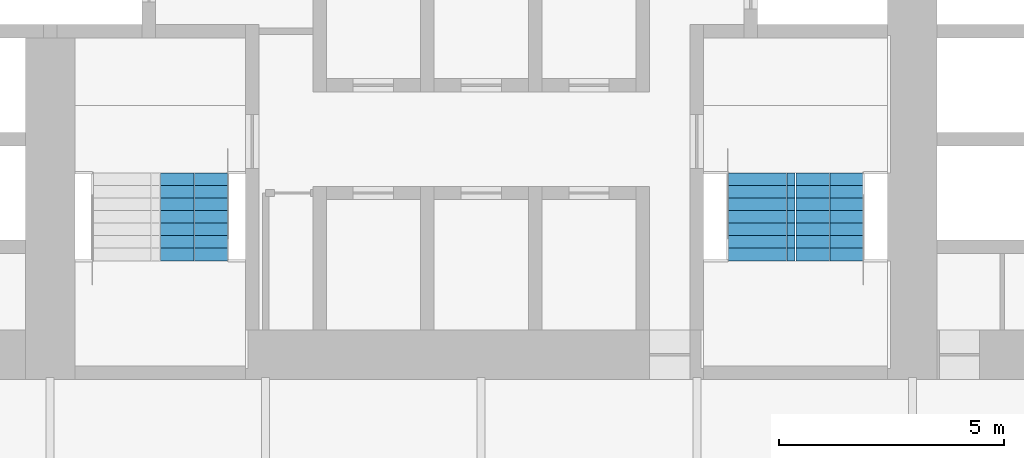
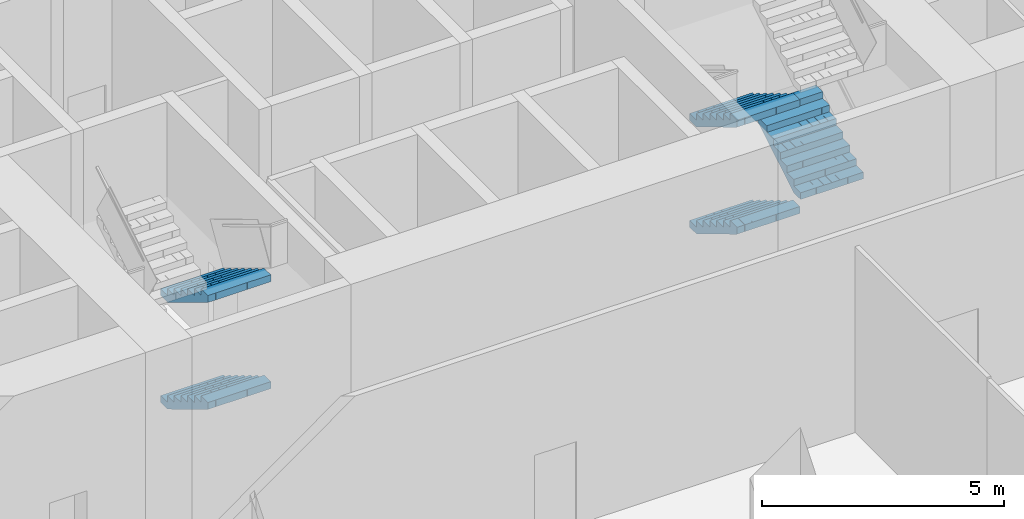
# One storey, part 25 of 34: 5 stair flights, 2 elements without a shape of their own.
"""IFC4 building model written with IfcOpenShell, lengths in metres."""

from ifc_helpers import new_model, si_unit, direction, frame, origin, place, context, subcontext, project, spatial, polyline, outline, extrude, material, type_object, element, aggregate, save


model = new_model("IFC4")

# Units and contexts
model_context = context("Model", 3, precision=1e-05, world=origin(), true_north=direction((0.0, 1.0)))
body_context = subcontext(model_context, "Body", "Model", "MODEL_VIEW")
ifc_project = project(units=[si_unit("LENGTHUNIT", "METRE"), si_unit("AREAUNIT", "SQUARE_METRE"), si_unit("VOLUMEUNIT", "CUBIC_METRE"), si_unit("PLANEANGLEUNIT", "RADIAN"), si_unit("MASSUNIT", "GRAM", prefix="KILO")], contexts=[model_context])

# Site, building, storey
site_placement = place(None, origin())
site = spatial("IfcSite", under=ifc_project, at=site_placement, CompositionType="ELEMENT")
building_placement = place(site_placement, origin())
building = spatial("IfcBuilding", under=site, at=building_placement, Name="Kolab Exchange Tower", CompositionType="ELEMENT")
storey_placement = place(building_placement, frame((0.0, 0.0, 7.0)))
storey = spatial("IfcBuildingStorey", under=building, at=storey_placement, Name="L01", CompositionType="ELEMENT", Elevation=7.0)

# Stair, stair flights
ifc_material = material(Name="Concrete C50/60", Category="concrete")
stair_type_1 = type_object("IfcStairType", Name="STAIR ST3 RISER 168.8", PredefinedType="DOUBLE_RETURN_STAIR", material=ifc_material)
stair_1_placement = place(storey_placement, origin())
stair_1 = element("IfcStair", 1, at=stair_1_placement, inside=storey, type_object=stair_type_1, Name="Stair 3", PredefinedType="DOUBLE_RETURN_STAIR")
stair_flight_type = type_object("IfcStairFlightType", Name="STAIR FLIGHT 1500 RISER 168.8", PredefinedType="STRAIGHT", material=ifc_material)
stair_flight_1_placement = place(storey_placement, frame((-6.389892578125, -5.550048828125, 0.0), z_axis=(0.0, 0.0, 1.0), x_axis=(0.0, -1.0, 0.0)))
stair_flight_1 = element("IfcStairFlight", 2, at=stair_flight_1_placement, type_object=stair_flight_type, Name="ST3 flight 1", NumberOfRisers=8, NumberOfTreads=7, PredefinedType="STRAIGHT", RiserHeight=0.16875, TreadLength=0.28, context=body_context, shape_type="SweptSolid", body=[
    extrude(outline(polyline([(0.0, 0.0), (0.0, 0.168701171875), (0.280029296875, 0.168701171875), (0.280029296875, 0.33740234375), (0.56005859375, 0.33740234375), (0.56005859375, 0.50634765625), (0.840087890625, 0.50634765625), (0.840087890625, 0.675048828125), (1.1201171875, 0.675048828125), (1.1201171875, 0.84375), (1.39990234375, 0.84375), (1.39990234375, 1.012451171875), (1.679931640625, 1.012451171875), (1.679931640625, 1.18115234375), (1.9599609375, 1.18115234375), (1.9599609375, 1.35009765625), (1.9599609375, 1.00634765625), (0.29052734375, 0.0), (0.0, 0.0)])), frame((0.0, 0.75, 0.0), z_axis=(0.0, -1.0, 0.0), x_axis=(1.0, 0.0, 0.0)), (0.0, 0.0, 1.0), 0.185791015625),
    extrude(outline(polyline([(0.0, 0.0), (0.0, 0.168701171875), (0.280029296875, 0.168701171875), (0.280029296875, 0.33740234375), (0.56005859375, 0.33740234375), (0.56005859375, 0.50634765625), (0.840087890625, 0.50634765625), (0.840087890625, 0.675048828125), (1.1201171875, 0.675048828125), (1.1201171875, 0.84375), (1.39990234375, 0.84375), (1.39990234375, 1.012451171875), (1.679931640625, 1.012451171875), (1.679931640625, 1.18115234375), (1.9599609375, 1.18115234375), (1.9599609375, 1.35009765625), (1.9599609375, 1.00634765625), (0.29052734375, 0.0), (0.0, 0.0)])), frame((0.0, 0.562255859375, 0.0), z_axis=(0.0, -1.0, 0.0), x_axis=(1.0, 0.0, 0.0)), (0.0, 0.0, 1.0), 0.185791015625),
    extrude(outline(polyline([(0.0, 0.0), (0.0, 0.168701171875), (0.280029296875, 0.168701171875), (0.280029296875, 0.33740234375), (0.56005859375, 0.33740234375), (0.56005859375, 0.50634765625), (0.840087890625, 0.50634765625), (0.840087890625, 0.675048828125), (1.1201171875, 0.675048828125), (1.1201171875, 0.84375), (1.39990234375, 0.84375), (1.39990234375, 1.012451171875), (1.679931640625, 1.012451171875), (1.679931640625, 1.18115234375), (1.9599609375, 1.18115234375), (1.9599609375, 1.35009765625), (1.9599609375, 1.00634765625), (0.29052734375, 0.0), (0.0, 0.0)])), frame((0.0, 0.37451171875, 0.0), z_axis=(0.0, -1.0, 0.0), x_axis=(1.0, 0.0, 0.0)), (0.0, 0.0, 1.0), 0.185791015625),
    extrude(outline(polyline([(0.0, 0.0), (0.0, 0.168701171875), (0.280029296875, 0.168701171875), (0.280029296875, 0.33740234375), (0.56005859375, 0.33740234375), (0.56005859375, 0.50634765625), (0.840087890625, 0.50634765625), (0.840087890625, 0.675048828125), (1.1201171875, 0.675048828125), (1.1201171875, 0.84375), (1.39990234375, 0.84375), (1.39990234375, 1.012451171875), (1.679931640625, 1.012451171875), (1.679931640625, 1.18115234375), (1.9599609375, 1.18115234375), (1.9599609375, 1.35009765625), (1.9599609375, 1.00634765625), (0.29052734375, 0.0), (0.0, 0.0)])), frame((0.0, 0.186767578125, 0.0), z_axis=(0.0, -1.0, 0.0), x_axis=(1.0, 0.0, 0.0)), (0.0, 0.0, 1.0), 0.185791015625),
    extrude(outline(polyline([(0.0, 0.0), (0.0, 0.168701171875), (0.280029296875, 0.168701171875), (0.280029296875, 0.33740234375), (0.56005859375, 0.33740234375), (0.56005859375, 0.50634765625), (0.840087890625, 0.50634765625), (0.840087890625, 0.675048828125), (1.1201171875, 0.675048828125), (1.1201171875, 0.84375), (1.39990234375, 0.84375), (1.39990234375, 1.012451171875), (1.679931640625, 1.012451171875), (1.679931640625, 1.18115234375), (1.9599609375, 1.18115234375), (1.9599609375, 1.35009765625), (1.9599609375, 1.00634765625), (0.29052734375, 0.0), (0.0, 0.0)])), frame((0.0, -0.0009765625, 0.0), z_axis=(0.0, -1.0, 0.0), x_axis=(1.0, 0.0, 0.0)), (0.0, 0.0, 1.0), 0.185791015625),
    extrude(outline(polyline([(0.0, 0.0), (0.0, 0.168701171875), (0.280029296875, 0.168701171875), (0.280029296875, 0.33740234375), (0.56005859375, 0.33740234375), (0.56005859375, 0.50634765625), (0.840087890625, 0.50634765625), (0.840087890625, 0.675048828125), (1.1201171875, 0.675048828125), (1.1201171875, 0.84375), (1.39990234375, 0.84375), (1.39990234375, 1.012451171875), (1.679931640625, 1.012451171875), (1.679931640625, 1.18115234375), (1.9599609375, 1.18115234375), (1.9599609375, 1.35009765625), (1.9599609375, 1.00634765625), (0.29052734375, 0.0), (0.0, 0.0)])), frame((0.0, -0.188720703125, 0.0), z_axis=(0.0, -1.0, 0.0), x_axis=(1.0, 0.0, 0.0)), (0.0, 0.0, 1.0), 0.185791015625),
    extrude(outline(polyline([(0.0, 0.0), (0.0, 0.168701171875), (0.280029296875, 0.168701171875), (0.280029296875, 0.33740234375), (0.56005859375, 0.33740234375), (0.56005859375, 0.50634765625), (0.840087890625, 0.50634765625), (0.840087890625, 0.675048828125), (1.1201171875, 0.675048828125), (1.1201171875, 0.84375), (1.39990234375, 0.84375), (1.39990234375, 1.012451171875), (1.679931640625, 1.012451171875), (1.679931640625, 1.18115234375), (1.9599609375, 1.18115234375), (1.9599609375, 1.35009765625), (1.9599609375, 1.00634765625), (0.29052734375, 0.0), (0.0, 0.0)])), frame((0.0, -0.37646484375, 0.0), z_axis=(0.0, -1.0, 0.0), x_axis=(1.0, 0.0, 0.0)), (0.0, 0.0, 1.0), 0.185791015625),
    extrude(outline(polyline([(0.0, 0.0), (0.0, 0.168701171875), (0.280029296875, 0.168701171875), (0.280029296875, 0.33740234375), (0.56005859375, 0.33740234375), (0.56005859375, 0.50634765625), (0.840087890625, 0.50634765625), (0.840087890625, 0.675048828125), (1.1201171875, 0.675048828125), (1.1201171875, 0.84375), (1.39990234375, 0.84375), (1.39990234375, 1.012451171875), (1.679931640625, 1.012451171875), (1.679931640625, 1.18115234375), (1.9599609375, 1.18115234375), (1.9599609375, 1.35009765625), (1.9599609375, 1.00634765625), (0.29052734375, 0.0), (0.0, 0.0)])), frame((0.0, -0.564208984375, 0.0), z_axis=(0.0, -1.0, 0.0), x_axis=(1.0, 0.0, 0.0)), (0.0, 0.0, 1.0), 0.185791015625),
])
stair_flight_2_placement = place(storey_placement, frame((-6.389892578125, -5.550048828125, 2.699951171875), z_axis=(0.0, 0.0, 1.0), x_axis=(0.0, -1.0, 0.0)))
stair_flight_2 = element("IfcStairFlight", 3, at=stair_flight_2_placement, type_object=stair_flight_type, Name="ST3 flight 3", NumberOfRisers=8, NumberOfTreads=7, PredefinedType="STRAIGHT", RiserHeight=0.16875, TreadLength=0.28, context=body_context, shape_type="SweptSolid", body=[
    extrude(outline(polyline([(0.0, 0.0), (0.0, 0.168701171875), (0.280029296875, 0.168701171875), (0.280029296875, 0.33740234375), (0.56005859375, 0.33740234375), (0.56005859375, 0.50634765625), (0.840087890625, 0.50634765625), (0.840087890625, 0.675048828125), (1.1201171875, 0.675048828125), (1.1201171875, 0.84375), (1.39990234375, 0.84375), (1.39990234375, 1.012451171875), (1.679931640625, 1.012451171875), (1.679931640625, 1.18115234375), (1.9599609375, 1.18115234375), (1.9599609375, 1.35009765625), (1.9599609375, 1.00634765625), (0.29052734375, 0.0), (0.0, 0.0)])), frame((0.0, 0.75, 0.0), z_axis=(0.0, -1.0, 0.0), x_axis=(1.0, 0.0, 0.0)), (0.0, 0.0, 1.0), 0.185791015625),
    extrude(outline(polyline([(0.0, 0.0), (0.0, 0.168701171875), (0.280029296875, 0.168701171875), (0.280029296875, 0.33740234375), (0.56005859375, 0.33740234375), (0.56005859375, 0.50634765625), (0.840087890625, 0.50634765625), (0.840087890625, 0.675048828125), (1.1201171875, 0.675048828125), (1.1201171875, 0.84375), (1.39990234375, 0.84375), (1.39990234375, 1.012451171875), (1.679931640625, 1.012451171875), (1.679931640625, 1.18115234375), (1.9599609375, 1.18115234375), (1.9599609375, 1.35009765625), (1.9599609375, 1.00634765625), (0.29052734375, 0.0), (0.0, 0.0)])), frame((0.0, 0.562255859375, 0.0), z_axis=(0.0, -1.0, 0.0), x_axis=(1.0, 0.0, 0.0)), (0.0, 0.0, 1.0), 0.185791015625),
    extrude(outline(polyline([(0.0, 0.0), (0.0, 0.168701171875), (0.280029296875, 0.168701171875), (0.280029296875, 0.33740234375), (0.56005859375, 0.33740234375), (0.56005859375, 0.50634765625), (0.840087890625, 0.50634765625), (0.840087890625, 0.675048828125), (1.1201171875, 0.675048828125), (1.1201171875, 0.84375), (1.39990234375, 0.84375), (1.39990234375, 1.012451171875), (1.679931640625, 1.012451171875), (1.679931640625, 1.18115234375), (1.9599609375, 1.18115234375), (1.9599609375, 1.35009765625), (1.9599609375, 1.00634765625), (0.29052734375, 0.0), (0.0, 0.0)])), frame((0.0, 0.37451171875, 0.0), z_axis=(0.0, -1.0, 0.0), x_axis=(1.0, 0.0, 0.0)), (0.0, 0.0, 1.0), 0.185791015625),
    extrude(outline(polyline([(0.0, 0.0), (0.0, 0.168701171875), (0.280029296875, 0.168701171875), (0.280029296875, 0.33740234375), (0.56005859375, 0.33740234375), (0.56005859375, 0.50634765625), (0.840087890625, 0.50634765625), (0.840087890625, 0.675048828125), (1.1201171875, 0.675048828125), (1.1201171875, 0.84375), (1.39990234375, 0.84375), (1.39990234375, 1.012451171875), (1.679931640625, 1.012451171875), (1.679931640625, 1.18115234375), (1.9599609375, 1.18115234375), (1.9599609375, 1.35009765625), (1.9599609375, 1.00634765625), (0.29052734375, 0.0), (0.0, 0.0)])), frame((0.0, 0.186767578125, 0.0), z_axis=(0.0, -1.0, 0.0), x_axis=(1.0, 0.0, 0.0)), (0.0, 0.0, 1.0), 0.185791015625),
    extrude(outline(polyline([(0.0, 0.0), (0.0, 0.168701171875), (0.280029296875, 0.168701171875), (0.280029296875, 0.33740234375), (0.56005859375, 0.33740234375), (0.56005859375, 0.50634765625), (0.840087890625, 0.50634765625), (0.840087890625, 0.675048828125), (1.1201171875, 0.675048828125), (1.1201171875, 0.84375), (1.39990234375, 0.84375), (1.39990234375, 1.012451171875), (1.679931640625, 1.012451171875), (1.679931640625, 1.18115234375), (1.9599609375, 1.18115234375), (1.9599609375, 1.35009765625), (1.9599609375, 1.00634765625), (0.29052734375, 0.0), (0.0, 0.0)])), frame((0.0, -0.0009765625, 0.0), z_axis=(0.0, -1.0, 0.0), x_axis=(1.0, 0.0, 0.0)), (0.0, 0.0, 1.0), 0.185791015625),
    extrude(outline(polyline([(0.0, 0.0), (0.0, 0.168701171875), (0.280029296875, 0.168701171875), (0.280029296875, 0.33740234375), (0.56005859375, 0.33740234375), (0.56005859375, 0.50634765625), (0.840087890625, 0.50634765625), (0.840087890625, 0.675048828125), (1.1201171875, 0.675048828125), (1.1201171875, 0.84375), (1.39990234375, 0.84375), (1.39990234375, 1.012451171875), (1.679931640625, 1.012451171875), (1.679931640625, 1.18115234375), (1.9599609375, 1.18115234375), (1.9599609375, 1.35009765625), (1.9599609375, 1.00634765625), (0.29052734375, 0.0), (0.0, 0.0)])), frame((0.0, -0.188720703125, 0.0), z_axis=(0.0, -1.0, 0.0), x_axis=(1.0, 0.0, 0.0)), (0.0, 0.0, 1.0), 0.185791015625),
    extrude(outline(polyline([(0.0, 0.0), (0.0, 0.168701171875), (0.280029296875, 0.168701171875), (0.280029296875, 0.33740234375), (0.56005859375, 0.33740234375), (0.56005859375, 0.50634765625), (0.840087890625, 0.50634765625), (0.840087890625, 0.675048828125), (1.1201171875, 0.675048828125), (1.1201171875, 0.84375), (1.39990234375, 0.84375), (1.39990234375, 1.012451171875), (1.679931640625, 1.012451171875), (1.679931640625, 1.18115234375), (1.9599609375, 1.18115234375), (1.9599609375, 1.35009765625), (1.9599609375, 1.00634765625), (0.29052734375, 0.0), (0.0, 0.0)])), frame((0.0, -0.37646484375, 0.0), z_axis=(0.0, -1.0, 0.0), x_axis=(1.0, 0.0, 0.0)), (0.0, 0.0, 1.0), 0.185791015625),
    extrude(outline(polyline([(0.0, 0.0), (0.0, 0.168701171875), (0.280029296875, 0.168701171875), (0.280029296875, 0.33740234375), (0.56005859375, 0.33740234375), (0.56005859375, 0.50634765625), (0.840087890625, 0.50634765625), (0.840087890625, 0.675048828125), (1.1201171875, 0.675048828125), (1.1201171875, 0.84375), (1.39990234375, 0.84375), (1.39990234375, 1.012451171875), (1.679931640625, 1.012451171875), (1.679931640625, 1.18115234375), (1.9599609375, 1.18115234375), (1.9599609375, 1.35009765625), (1.9599609375, 1.00634765625), (0.29052734375, 0.0), (0.0, 0.0)])), frame((0.0, -0.564208984375, 0.0), z_axis=(0.0, -1.0, 0.0), x_axis=(1.0, 0.0, 0.0)), (0.0, 0.0, 1.0), 0.185791015625),
])
aggregate(stair_1, [stair_flight_1, stair_flight_2])

stair_type_2 = type_object("IfcStairType", Name="STAIR ST2 RISER 168.8", PredefinedType="DOUBLE_RETURN_STAIR", material=ifc_material)
stair_2_placement = place(storey_placement, origin())
stair_2 = element("IfcStair", 4, at=stair_2_placement, inside=storey, type_object=stair_type_2, Name="Stair 2", PredefinedType="DOUBLE_RETURN_STAIR")
stair_flight_3_placement = place(storey_placement, frame((6.239990234375, -5.550048828125, 0.0), z_axis=(0.0, 0.0, 1.0), x_axis=(0.0, -1.0, 0.0)))
stair_flight_3 = element("IfcStairFlight", 5, at=stair_flight_3_placement, type_object=stair_flight_type, Name="ST2 flight 1", NumberOfRisers=8, NumberOfTreads=7, PredefinedType="STRAIGHT", RiserHeight=0.16875, TreadLength=0.28, context=body_context, shape_type="SweptSolid", body=[
    extrude(outline(polyline([(0.0, 0.0), (0.0, 0.168701171875), (0.280029296875, 0.168701171875), (0.280029296875, 0.33740234375), (0.56005859375, 0.33740234375), (0.56005859375, 0.50634765625), (0.840087890625, 0.50634765625), (0.840087890625, 0.675048828125), (1.1201171875, 0.675048828125), (1.1201171875, 0.84375), (1.39990234375, 0.84375), (1.39990234375, 1.012451171875), (1.679931640625, 1.012451171875), (1.679931640625, 1.18115234375), (1.9599609375, 1.18115234375), (1.9599609375, 1.35009765625), (1.9599609375, 1.00634765625), (0.29052734375, 0.0), (0.0, 0.0)])), frame((0.0, 0.75, 0.0), z_axis=(0.0, -1.0, 0.0), x_axis=(1.0, 0.0, 0.0)), (0.0, 0.0, 1.0), 0.185791015625),
    extrude(outline(polyline([(0.0, 0.0), (0.0, 0.168701171875), (0.280029296875, 0.168701171875), (0.280029296875, 0.33740234375), (0.56005859375, 0.33740234375), (0.56005859375, 0.50634765625), (0.840087890625, 0.50634765625), (0.840087890625, 0.675048828125), (1.1201171875, 0.675048828125), (1.1201171875, 0.84375), (1.39990234375, 0.84375), (1.39990234375, 1.012451171875), (1.679931640625, 1.012451171875), (1.679931640625, 1.18115234375), (1.9599609375, 1.18115234375), (1.9599609375, 1.35009765625), (1.9599609375, 1.00634765625), (0.29052734375, 0.0), (0.0, 0.0)])), frame((0.0, 0.562255859375, 0.0), z_axis=(0.0, -1.0, 0.0), x_axis=(1.0, 0.0, 0.0)), (0.0, 0.0, 1.0), 0.185791015625),
    extrude(outline(polyline([(0.0, 0.0), (0.0, 0.168701171875), (0.280029296875, 0.168701171875), (0.280029296875, 0.33740234375), (0.56005859375, 0.33740234375), (0.56005859375, 0.50634765625), (0.840087890625, 0.50634765625), (0.840087890625, 0.675048828125), (1.1201171875, 0.675048828125), (1.1201171875, 0.84375), (1.39990234375, 0.84375), (1.39990234375, 1.012451171875), (1.679931640625, 1.012451171875), (1.679931640625, 1.18115234375), (1.9599609375, 1.18115234375), (1.9599609375, 1.35009765625), (1.9599609375, 1.00634765625), (0.29052734375, 0.0), (0.0, 0.0)])), frame((0.0, 0.37451171875, 0.0), z_axis=(0.0, -1.0, 0.0), x_axis=(1.0, 0.0, 0.0)), (0.0, 0.0, 1.0), 0.185791015625),
    extrude(outline(polyline([(0.0, 0.0), (0.0, 0.168701171875), (0.280029296875, 0.168701171875), (0.280029296875, 0.33740234375), (0.56005859375, 0.33740234375), (0.56005859375, 0.50634765625), (0.840087890625, 0.50634765625), (0.840087890625, 0.675048828125), (1.1201171875, 0.675048828125), (1.1201171875, 0.84375), (1.39990234375, 0.84375), (1.39990234375, 1.012451171875), (1.679931640625, 1.012451171875), (1.679931640625, 1.18115234375), (1.9599609375, 1.18115234375), (1.9599609375, 1.35009765625), (1.9599609375, 1.00634765625), (0.29052734375, 0.0), (0.0, 0.0)])), frame((0.0, 0.186767578125, 0.0), z_axis=(0.0, -1.0, 0.0), x_axis=(1.0, 0.0, 0.0)), (0.0, 0.0, 1.0), 0.185791015625),
    extrude(outline(polyline([(0.0, 0.0), (0.0, 0.168701171875), (0.280029296875, 0.168701171875), (0.280029296875, 0.33740234375), (0.56005859375, 0.33740234375), (0.56005859375, 0.50634765625), (0.840087890625, 0.50634765625), (0.840087890625, 0.675048828125), (1.1201171875, 0.675048828125), (1.1201171875, 0.84375), (1.39990234375, 0.84375), (1.39990234375, 1.012451171875), (1.679931640625, 1.012451171875), (1.679931640625, 1.18115234375), (1.9599609375, 1.18115234375), (1.9599609375, 1.35009765625), (1.9599609375, 1.00634765625), (0.29052734375, 0.0), (0.0, 0.0)])), frame((0.0, -0.0009765625, 0.0), z_axis=(0.0, -1.0, 0.0), x_axis=(1.0, 0.0, 0.0)), (0.0, 0.0, 1.0), 0.185791015625),
    extrude(outline(polyline([(0.0, 0.0), (0.0, 0.168701171875), (0.280029296875, 0.168701171875), (0.280029296875, 0.33740234375), (0.56005859375, 0.33740234375), (0.56005859375, 0.50634765625), (0.840087890625, 0.50634765625), (0.840087890625, 0.675048828125), (1.1201171875, 0.675048828125), (1.1201171875, 0.84375), (1.39990234375, 0.84375), (1.39990234375, 1.012451171875), (1.679931640625, 1.012451171875), (1.679931640625, 1.18115234375), (1.9599609375, 1.18115234375), (1.9599609375, 1.35009765625), (1.9599609375, 1.00634765625), (0.29052734375, 0.0), (0.0, 0.0)])), frame((0.0, -0.188720703125, 0.0), z_axis=(0.0, -1.0, 0.0), x_axis=(1.0, 0.0, 0.0)), (0.0, 0.0, 1.0), 0.185791015625),
    extrude(outline(polyline([(0.0, 0.0), (0.0, 0.168701171875), (0.280029296875, 0.168701171875), (0.280029296875, 0.33740234375), (0.56005859375, 0.33740234375), (0.56005859375, 0.50634765625), (0.840087890625, 0.50634765625), (0.840087890625, 0.675048828125), (1.1201171875, 0.675048828125), (1.1201171875, 0.84375), (1.39990234375, 0.84375), (1.39990234375, 1.012451171875), (1.679931640625, 1.012451171875), (1.679931640625, 1.18115234375), (1.9599609375, 1.18115234375), (1.9599609375, 1.35009765625), (1.9599609375, 1.00634765625), (0.29052734375, 0.0), (0.0, 0.0)])), frame((0.0, -0.37646484375, 0.0), z_axis=(0.0, -1.0, 0.0), x_axis=(1.0, 0.0, 0.0)), (0.0, 0.0, 1.0), 0.185791015625),
    extrude(outline(polyline([(0.0, 0.0), (0.0, 0.168701171875), (0.280029296875, 0.168701171875), (0.280029296875, 0.33740234375), (0.56005859375, 0.33740234375), (0.56005859375, 0.50634765625), (0.840087890625, 0.50634765625), (0.840087890625, 0.675048828125), (1.1201171875, 0.675048828125), (1.1201171875, 0.84375), (1.39990234375, 0.84375), (1.39990234375, 1.012451171875), (1.679931640625, 1.012451171875), (1.679931640625, 1.18115234375), (1.9599609375, 1.18115234375), (1.9599609375, 1.35009765625), (1.9599609375, 1.00634765625), (0.29052734375, 0.0), (0.0, 0.0)])), frame((0.0, -0.564208984375, 0.0), z_axis=(0.0, -1.0, 0.0), x_axis=(1.0, 0.0, 0.0)), (0.0, 0.0, 1.0), 0.185791015625),
])
stair_flight_4_placement = place(storey_placement, frame((7.760009765625, -7.510009765625, 1.35009765625), z_axis=(0.0, 0.0, 1.0), x_axis=(0.0, 1.0, 0.0)))
stair_flight_4 = element("IfcStairFlight", 6, at=stair_flight_4_placement, type_object=stair_flight_type, Name="ST2 flight 2", NumberOfRisers=8, NumberOfTreads=7, PredefinedType="STRAIGHT", RiserHeight=0.16875, TreadLength=0.28, context=body_context, shape_type="SweptSolid", body=[
    extrude(outline(polyline([(0.0, 0.0), (0.0, 0.168701171875), (0.280029296875, 0.168701171875), (0.280029296875, 0.33740234375), (0.56005859375, 0.33740234375), (0.56005859375, 0.50634765625), (0.840087890625, 0.50634765625), (0.840087890625, 0.675048828125), (1.1201171875, 0.675048828125), (1.1201171875, 0.84375), (1.39990234375, 0.84375), (1.39990234375, 1.012451171875), (1.679931640625, 1.012451171875), (1.679931640625, 1.18115234375), (1.9599609375, 1.18115234375), (1.9599609375, 1.35009765625), (1.9599609375, 1.00634765625), (0.29052734375, 0.0), (0.0, 0.0)])), frame((0.0, 0.75, 0.0), z_axis=(0.0, -1.0, 0.0), x_axis=(1.0, 0.0, 0.0)), (0.0, 0.0, 1.0), 0.185791015625),
    extrude(outline(polyline([(0.0, 0.0), (0.0, 0.168701171875), (0.280029296875, 0.168701171875), (0.280029296875, 0.33740234375), (0.56005859375, 0.33740234375), (0.56005859375, 0.50634765625), (0.840087890625, 0.50634765625), (0.840087890625, 0.675048828125), (1.1201171875, 0.675048828125), (1.1201171875, 0.84375), (1.39990234375, 0.84375), (1.39990234375, 1.012451171875), (1.679931640625, 1.012451171875), (1.679931640625, 1.18115234375), (1.9599609375, 1.18115234375), (1.9599609375, 1.35009765625), (1.9599609375, 1.00634765625), (0.29052734375, 0.0), (0.0, 0.0)])), frame((0.0, 0.562255859375, 0.0), z_axis=(0.0, -1.0, 0.0), x_axis=(1.0, 0.0, 0.0)), (0.0, 0.0, 1.0), 0.185791015625),
    extrude(outline(polyline([(0.0, 0.0), (0.0, 0.168701171875), (0.280029296875, 0.168701171875), (0.280029296875, 0.33740234375), (0.56005859375, 0.33740234375), (0.56005859375, 0.50634765625), (0.840087890625, 0.50634765625), (0.840087890625, 0.675048828125), (1.1201171875, 0.675048828125), (1.1201171875, 0.84375), (1.39990234375, 0.84375), (1.39990234375, 1.012451171875), (1.679931640625, 1.012451171875), (1.679931640625, 1.18115234375), (1.9599609375, 1.18115234375), (1.9599609375, 1.35009765625), (1.9599609375, 1.00634765625), (0.29052734375, 0.0), (0.0, 0.0)])), frame((0.0, 0.37451171875, 0.0), z_axis=(0.0, -1.0, 0.0), x_axis=(1.0, 0.0, 0.0)), (0.0, 0.0, 1.0), 0.185791015625),
    extrude(outline(polyline([(0.0, 0.0), (0.0, 0.168701171875), (0.280029296875, 0.168701171875), (0.280029296875, 0.33740234375), (0.56005859375, 0.33740234375), (0.56005859375, 0.50634765625), (0.840087890625, 0.50634765625), (0.840087890625, 0.675048828125), (1.1201171875, 0.675048828125), (1.1201171875, 0.84375), (1.39990234375, 0.84375), (1.39990234375, 1.012451171875), (1.679931640625, 1.012451171875), (1.679931640625, 1.18115234375), (1.9599609375, 1.18115234375), (1.9599609375, 1.35009765625), (1.9599609375, 1.00634765625), (0.29052734375, 0.0), (0.0, 0.0)])), frame((0.0, 0.186767578125, 0.0), z_axis=(0.0, -1.0, 0.0), x_axis=(1.0, 0.0, 0.0)), (0.0, 0.0, 1.0), 0.185791015625),
    extrude(outline(polyline([(0.0, 0.0), (0.0, 0.168701171875), (0.280029296875, 0.168701171875), (0.280029296875, 0.33740234375), (0.56005859375, 0.33740234375), (0.56005859375, 0.50634765625), (0.840087890625, 0.50634765625), (0.840087890625, 0.675048828125), (1.1201171875, 0.675048828125), (1.1201171875, 0.84375), (1.39990234375, 0.84375), (1.39990234375, 1.012451171875), (1.679931640625, 1.012451171875), (1.679931640625, 1.18115234375), (1.9599609375, 1.18115234375), (1.9599609375, 1.35009765625), (1.9599609375, 1.00634765625), (0.29052734375, 0.0), (0.0, 0.0)])), frame((0.0, -0.0009765625, 0.0), z_axis=(0.0, -1.0, 0.0), x_axis=(1.0, 0.0, 0.0)), (0.0, 0.0, 1.0), 0.185791015625),
    extrude(outline(polyline([(0.0, 0.0), (0.0, 0.168701171875), (0.280029296875, 0.168701171875), (0.280029296875, 0.33740234375), (0.56005859375, 0.33740234375), (0.56005859375, 0.50634765625), (0.840087890625, 0.50634765625), (0.840087890625, 0.675048828125), (1.1201171875, 0.675048828125), (1.1201171875, 0.84375), (1.39990234375, 0.84375), (1.39990234375, 1.012451171875), (1.679931640625, 1.012451171875), (1.679931640625, 1.18115234375), (1.9599609375, 1.18115234375), (1.9599609375, 1.35009765625), (1.9599609375, 1.00634765625), (0.29052734375, 0.0), (0.0, 0.0)])), frame((0.0, -0.188720703125, 0.0), z_axis=(0.0, -1.0, 0.0), x_axis=(1.0, 0.0, 0.0)), (0.0, 0.0, 1.0), 0.185791015625),
    extrude(outline(polyline([(0.0, 0.0), (0.0, 0.168701171875), (0.280029296875, 0.168701171875), (0.280029296875, 0.33740234375), (0.56005859375, 0.33740234375), (0.56005859375, 0.50634765625), (0.840087890625, 0.50634765625), (0.840087890625, 0.675048828125), (1.1201171875, 0.675048828125), (1.1201171875, 0.84375), (1.39990234375, 0.84375), (1.39990234375, 1.012451171875), (1.679931640625, 1.012451171875), (1.679931640625, 1.18115234375), (1.9599609375, 1.18115234375), (1.9599609375, 1.35009765625), (1.9599609375, 1.00634765625), (0.29052734375, 0.0), (0.0, 0.0)])), frame((0.0, -0.37646484375, 0.0), z_axis=(0.0, -1.0, 0.0), x_axis=(1.0, 0.0, 0.0)), (0.0, 0.0, 1.0), 0.185791015625),
    extrude(outline(polyline([(0.0, 0.0), (0.0, 0.168701171875), (0.280029296875, 0.168701171875), (0.280029296875, 0.33740234375), (0.56005859375, 0.33740234375), (0.56005859375, 0.50634765625), (0.840087890625, 0.50634765625), (0.840087890625, 0.675048828125), (1.1201171875, 0.675048828125), (1.1201171875, 0.84375), (1.39990234375, 0.84375), (1.39990234375, 1.012451171875), (1.679931640625, 1.012451171875), (1.679931640625, 1.18115234375), (1.9599609375, 1.18115234375), (1.9599609375, 1.35009765625), (1.9599609375, 1.00634765625), (0.29052734375, 0.0), (0.0, 0.0)])), frame((0.0, -0.564208984375, 0.0), z_axis=(0.0, -1.0, 0.0), x_axis=(1.0, 0.0, 0.0)), (0.0, 0.0, 1.0), 0.185791015625),
])
stair_flight_5_placement = place(storey_placement, frame((6.239990234375, -5.550048828125, 2.699951171875), z_axis=(0.0, 0.0, 1.0), x_axis=(0.0, -1.0, 0.0)))
stair_flight_5 = element("IfcStairFlight", 7, at=stair_flight_5_placement, type_object=stair_flight_type, Name="ST2 flight 3", NumberOfRisers=8, NumberOfTreads=7, PredefinedType="STRAIGHT", RiserHeight=0.16875, TreadLength=0.28, context=body_context, shape_type="SweptSolid", body=[
    extrude(outline(polyline([(0.0, 0.0), (0.0, 0.168701171875), (0.280029296875, 0.168701171875), (0.280029296875, 0.33740234375), (0.56005859375, 0.33740234375), (0.56005859375, 0.50634765625), (0.840087890625, 0.50634765625), (0.840087890625, 0.675048828125), (1.1201171875, 0.675048828125), (1.1201171875, 0.84375), (1.39990234375, 0.84375), (1.39990234375, 1.012451171875), (1.679931640625, 1.012451171875), (1.679931640625, 1.18115234375), (1.9599609375, 1.18115234375), (1.9599609375, 1.35009765625), (1.9599609375, 1.00634765625), (0.29052734375, 0.0), (0.0, 0.0)])), frame((0.0, 0.75, 0.0), z_axis=(0.0, -1.0, 0.0), x_axis=(1.0, 0.0, 0.0)), (0.0, 0.0, 1.0), 0.185791015625),
    extrude(outline(polyline([(0.0, 0.0), (0.0, 0.168701171875), (0.280029296875, 0.168701171875), (0.280029296875, 0.33740234375), (0.56005859375, 0.33740234375), (0.56005859375, 0.50634765625), (0.840087890625, 0.50634765625), (0.840087890625, 0.675048828125), (1.1201171875, 0.675048828125), (1.1201171875, 0.84375), (1.39990234375, 0.84375), (1.39990234375, 1.012451171875), (1.679931640625, 1.012451171875), (1.679931640625, 1.18115234375), (1.9599609375, 1.18115234375), (1.9599609375, 1.35009765625), (1.9599609375, 1.00634765625), (0.29052734375, 0.0), (0.0, 0.0)])), frame((0.0, 0.562255859375, 0.0), z_axis=(0.0, -1.0, 0.0), x_axis=(1.0, 0.0, 0.0)), (0.0, 0.0, 1.0), 0.185791015625),
    extrude(outline(polyline([(0.0, 0.0), (0.0, 0.168701171875), (0.280029296875, 0.168701171875), (0.280029296875, 0.33740234375), (0.56005859375, 0.33740234375), (0.56005859375, 0.50634765625), (0.840087890625, 0.50634765625), (0.840087890625, 0.675048828125), (1.1201171875, 0.675048828125), (1.1201171875, 0.84375), (1.39990234375, 0.84375), (1.39990234375, 1.012451171875), (1.679931640625, 1.012451171875), (1.679931640625, 1.18115234375), (1.9599609375, 1.18115234375), (1.9599609375, 1.35009765625), (1.9599609375, 1.00634765625), (0.29052734375, 0.0), (0.0, 0.0)])), frame((0.0, 0.37451171875, 0.0), z_axis=(0.0, -1.0, 0.0), x_axis=(1.0, 0.0, 0.0)), (0.0, 0.0, 1.0), 0.185791015625),
    extrude(outline(polyline([(0.0, 0.0), (0.0, 0.168701171875), (0.280029296875, 0.168701171875), (0.280029296875, 0.33740234375), (0.56005859375, 0.33740234375), (0.56005859375, 0.50634765625), (0.840087890625, 0.50634765625), (0.840087890625, 0.675048828125), (1.1201171875, 0.675048828125), (1.1201171875, 0.84375), (1.39990234375, 0.84375), (1.39990234375, 1.012451171875), (1.679931640625, 1.012451171875), (1.679931640625, 1.18115234375), (1.9599609375, 1.18115234375), (1.9599609375, 1.35009765625), (1.9599609375, 1.00634765625), (0.29052734375, 0.0), (0.0, 0.0)])), frame((0.0, 0.186767578125, 0.0), z_axis=(0.0, -1.0, 0.0), x_axis=(1.0, 0.0, 0.0)), (0.0, 0.0, 1.0), 0.185791015625),
    extrude(outline(polyline([(0.0, 0.0), (0.0, 0.168701171875), (0.280029296875, 0.168701171875), (0.280029296875, 0.33740234375), (0.56005859375, 0.33740234375), (0.56005859375, 0.50634765625), (0.840087890625, 0.50634765625), (0.840087890625, 0.675048828125), (1.1201171875, 0.675048828125), (1.1201171875, 0.84375), (1.39990234375, 0.84375), (1.39990234375, 1.012451171875), (1.679931640625, 1.012451171875), (1.679931640625, 1.18115234375), (1.9599609375, 1.18115234375), (1.9599609375, 1.35009765625), (1.9599609375, 1.00634765625), (0.29052734375, 0.0), (0.0, 0.0)])), frame((0.0, -0.0009765625, 0.0), z_axis=(0.0, -1.0, 0.0), x_axis=(1.0, 0.0, 0.0)), (0.0, 0.0, 1.0), 0.185791015625),
    extrude(outline(polyline([(0.0, 0.0), (0.0, 0.168701171875), (0.280029296875, 0.168701171875), (0.280029296875, 0.33740234375), (0.56005859375, 0.33740234375), (0.56005859375, 0.50634765625), (0.840087890625, 0.50634765625), (0.840087890625, 0.675048828125), (1.1201171875, 0.675048828125), (1.1201171875, 0.84375), (1.39990234375, 0.84375), (1.39990234375, 1.012451171875), (1.679931640625, 1.012451171875), (1.679931640625, 1.18115234375), (1.9599609375, 1.18115234375), (1.9599609375, 1.35009765625), (1.9599609375, 1.00634765625), (0.29052734375, 0.0), (0.0, 0.0)])), frame((0.0, -0.188720703125, 0.0), z_axis=(0.0, -1.0, 0.0), x_axis=(1.0, 0.0, 0.0)), (0.0, 0.0, 1.0), 0.185791015625),
    extrude(outline(polyline([(0.0, 0.0), (0.0, 0.168701171875), (0.280029296875, 0.168701171875), (0.280029296875, 0.33740234375), (0.56005859375, 0.33740234375), (0.56005859375, 0.50634765625), (0.840087890625, 0.50634765625), (0.840087890625, 0.675048828125), (1.1201171875, 0.675048828125), (1.1201171875, 0.84375), (1.39990234375, 0.84375), (1.39990234375, 1.012451171875), (1.679931640625, 1.012451171875), (1.679931640625, 1.18115234375), (1.9599609375, 1.18115234375), (1.9599609375, 1.35009765625), (1.9599609375, 1.00634765625), (0.29052734375, 0.0), (0.0, 0.0)])), frame((0.0, -0.37646484375, 0.0), z_axis=(0.0, -1.0, 0.0), x_axis=(1.0, 0.0, 0.0)), (0.0, 0.0, 1.0), 0.185791015625),
    extrude(outline(polyline([(0.0, 0.0), (0.0, 0.168701171875), (0.280029296875, 0.168701171875), (0.280029296875, 0.33740234375), (0.56005859375, 0.33740234375), (0.56005859375, 0.50634765625), (0.840087890625, 0.50634765625), (0.840087890625, 0.675048828125), (1.1201171875, 0.675048828125), (1.1201171875, 0.84375), (1.39990234375, 0.84375), (1.39990234375, 1.012451171875), (1.679931640625, 1.012451171875), (1.679931640625, 1.18115234375), (1.9599609375, 1.18115234375), (1.9599609375, 1.35009765625), (1.9599609375, 1.00634765625), (0.29052734375, 0.0), (0.0, 0.0)])), frame((0.0, -0.564208984375, 0.0), z_axis=(0.0, -1.0, 0.0), x_axis=(1.0, 0.0, 0.0)), (0.0, 0.0, 1.0), 0.185791015625),
])
aggregate(stair_2, [stair_flight_3, stair_flight_4, stair_flight_5])

save(model, "model.ifc")
